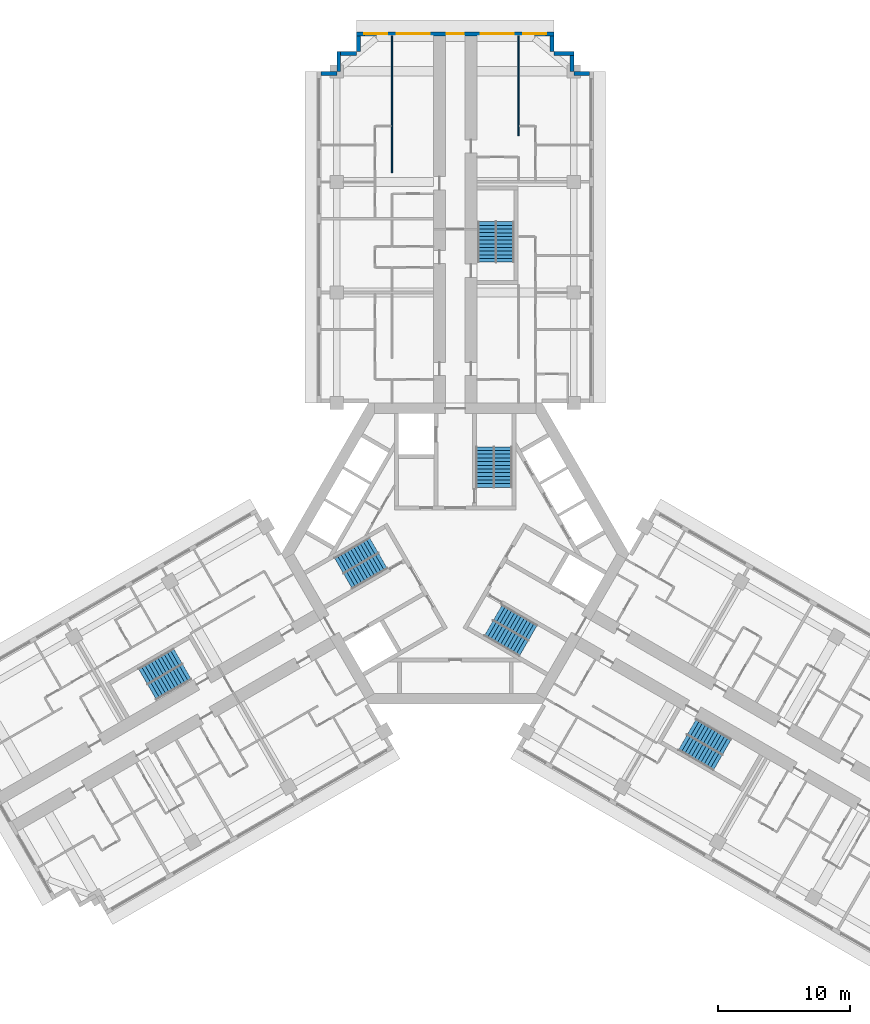
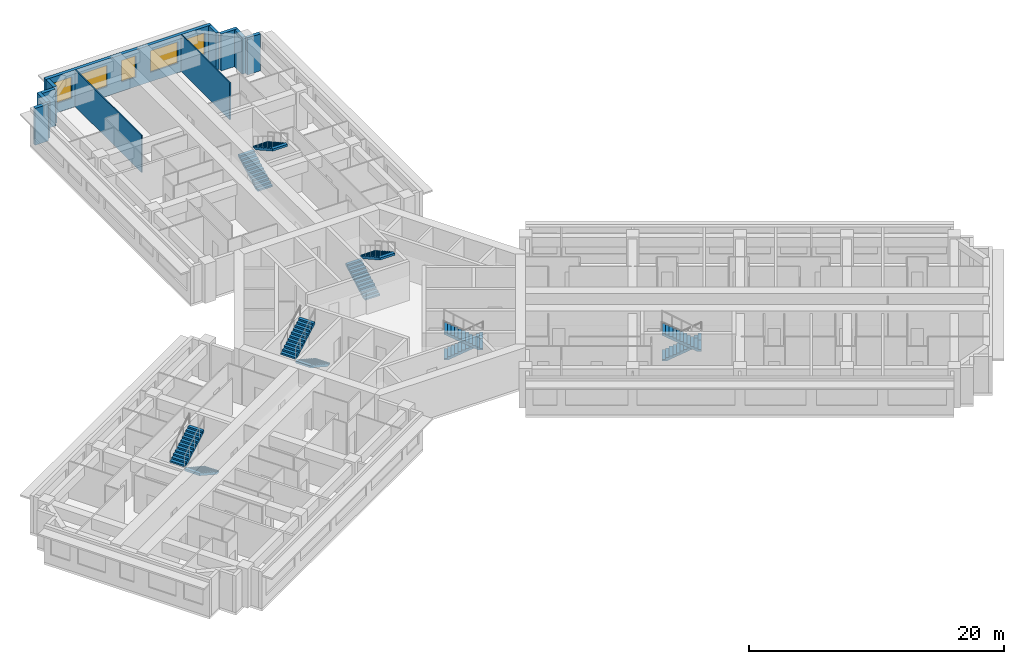
# One storey, part 12 of 13: 12 stair flights, 11 walls, 5 windows, 5 openings, 6 elements without a shape of their own.
"""IFC4 building model written with IfcOpenShell, lengths in metres."""

from ifc_helpers import new_model, si_unit, direction, frame, frame_2d, origin, place, context, subcontext, project, spatial, polyline, rectangle, outline, extrude, material, layer, layer_set, type_object, element, fill, aggregate, save


model = new_model("IFC4")

# Units and contexts
model_context = context("Model", 3, precision=1e-05, world=origin(), true_north=direction((0.0, 1.0)))
body_context = subcontext(model_context, "Body", "Model", "MODEL_VIEW")
ifc_project = project(units=[si_unit("LENGTHUNIT", "METRE"), si_unit("AREAUNIT", "SQUARE_METRE"), si_unit("VOLUMEUNIT", "CUBIC_METRE"), si_unit("PLANEANGLEUNIT", "RADIAN"), si_unit("MASSUNIT", "GRAM", prefix="KILO")], contexts=[model_context])

# Site, building, storey
site_placement = place(None, origin())
site = spatial("IfcSite", under=ifc_project, at=site_placement, CompositionType="ELEMENT")
building_placement = place(site_placement, origin())
building = spatial("IfcBuilding", under=site, at=building_placement, Name="Impinga Residences", CompositionType="ELEMENT")
storey_placement = place(building_placement, frame((0.0, 0.0, 139.75)))
storey = spatial("IfcBuildingStorey", under=building, at=storey_placement, Name="L34", CompositionType="ELEMENT", Elevation=139.75)

# Walls
ifc_material_1 = material(Name="Terracotta rainscreen on blockwork", Category="masonry")
ifc_layer_1 = layer(ifc_material_1, 0.300048828125)
ifc_layer_set_1 = layer_set([ifc_layer_1], Name="EW1 external wall, terracotta rainscreen on blockwork 300")
wall_type_1 = type_object("IfcWallType", Name="EW1 external wall, terracotta rainscreen on blockwork 300", PredefinedType="SOLIDWALL", material=ifc_layer_set_1)
wall_1_placement = place(storey_placement, frame((-10.199951171875, 36.4814453125, 0.0), z_axis=(0.0, 0.0, 1.0), x_axis=(1.0, 0.0, 0.0)))
element("IfcWall", 1, at=wall_1_placement, inside=storey, type_object=wall_type_1, Name="External wall EW1 L34", PredefinedType="SOLIDWALL", context=body_context, shape_type="SweptSolid", body=[
    extrude(rectangle(XDim=1.199951171875, YDim=0.300048828125, at=frame_2d((0.60009765625, 0.0))), origin(), (0.0, 0.0, 1.0), 3.530029296875),
])
wall_2_placement = place(storey_placement, frame((-8.85009765625, 36.636474609375, 0.0), z_axis=(0.0, 0.0, 1.0), x_axis=(0.0, 1.0, 0.0)))
element("IfcWall", 2, at=wall_2_placement, inside=storey, type_object=wall_type_1, Name="External wall EW1 L34", PredefinedType="SOLIDWALL", context=body_context, shape_type="SweptSolid", body=[
    extrude(rectangle(XDim=1.4951171875, YDim=0.300048828125, at=frame_2d((0.74755859375, 0.0))), origin(), (0.0, 0.0, 1.0), 3.530029296875),
])
wall_3_placement = place(storey_placement, frame((-8.699951171875, 37.9814453125, 0.0), z_axis=(0.0, 0.0, 1.0), x_axis=(1.0, 0.0, 0.0)))
element("IfcWall", 3, at=wall_3_placement, inside=storey, type_object=wall_type_1, Name="External wall EW1 L34", PredefinedType="SOLIDWALL", context=body_context, shape_type="SweptSolid", body=[
    extrude(rectangle(XDim=1.199951171875, YDim=0.300048828125, at=frame_2d((0.60009765625, 0.0))), origin(), (0.0, 0.0, 1.0), 3.530029296875),
])
wall_4_placement = place(storey_placement, frame((-7.35009765625, 38.136474609375, 0.0), z_axis=(0.0, 0.0, 1.0), x_axis=(0.0, 1.0, 0.0)))
element("IfcWall", 4, at=wall_4_placement, inside=storey, type_object=wall_type_1, Name="External wall EW1 L34", PredefinedType="SOLIDWALL", context=body_context, shape_type="SweptSolid", body=[
    extrude(rectangle(XDim=1.195068359375, YDim=0.300048828125, at=frame_2d((0.59765625, 0.0))), origin(), (0.0, 0.0, 1.0), 3.530029296875),
])

# Wall, openings, windows
wall_5_placement = place(storey_placement, frame((-7.5, 39.4814453125, 0.0), z_axis=(0.0, 0.0, 1.0), x_axis=(1.0, 0.0, 0.0)))
wall_5 = element("IfcWall", 5, at=wall_5_placement, inside=storey, type_object=wall_type_1, Name="External wall EW1 L34", PredefinedType="SOLIDWALL", context=body_context, shape_type="SweptSolid", body=[
    extrude(rectangle(XDim=15.0, YDim=0.300048828125, at=frame_2d((7.5, 0.0))), origin(), (0.0, 0.0, 1.0), 3.530029296875),
])
opening_1_placement = place(wall_5_placement, frame((0.60009765625, 0.0, 0.89990234375)))
opening_1 = element("IfcOpeningElement", 6, at=opening_1_placement, cuts=wall_5, Name="Opening W1", PredefinedType="OPENING", context=body_context, shape_type="SweptSolid", body=[
    extrude(rectangle(XDim=1.75, YDim=2.050048828125, at=frame_2d((0.875, 1.02490234375))), frame((0.0, 0.159912109375, 0.0), z_axis=(0.0, -1.0, 0.0), x_axis=(1.0, 0.0, 0.0)), (0.0, 0.0, 1.0), 0.320068359375),
])
opening_2_placement = place(wall_5_placement, frame((3.050048828125, 0.0, 0.89990234375)))
opening_2 = element("IfcOpeningElement", 7, at=opening_2_placement, cuts=wall_5, Name="Opening W2", PredefinedType="OPENING", context=body_context, shape_type="SweptSolid", body=[
    extrude(rectangle(XDim=2.5, YDim=2.050048828125, at=frame_2d((1.25, 1.02490234375))), frame((0.0, 0.159912109375, 0.0), z_axis=(0.0, -1.0, 0.0), x_axis=(1.0, 0.0, 0.0)), (0.0, 0.0, 1.0), 0.320068359375),
])
opening_3_placement = place(wall_5_placement, frame((6.85009765625, 0.0, 0.89990234375)))
opening_3 = element("IfcOpeningElement", 8, at=opening_3_placement, cuts=wall_5, Name="Opening W17", PredefinedType="OPENING", context=body_context, shape_type="SweptSolid", body=[
    extrude(rectangle(XDim=1.300048828125, YDim=2.050048828125, at=frame_2d((0.64990234375, 1.02490234375))), frame((0.0, 0.159912109375, 0.0), z_axis=(0.0, -1.0, 0.0), x_axis=(1.0, 0.0, 0.0)), (0.0, 0.0, 1.0), 0.320068359375),
])
opening_4_placement = place(wall_5_placement, frame((9.449951171875, 0.0, 0.89990234375)))
opening_4 = element("IfcOpeningElement", 9, at=opening_4_placement, cuts=wall_5, Name="Opening W2", PredefinedType="OPENING", context=body_context, shape_type="SweptSolid", body=[
    extrude(rectangle(XDim=2.5, YDim=2.050048828125, at=frame_2d((1.25, 1.02490234375))), frame((0.0, 0.159912109375, 0.0), z_axis=(0.0, -1.0, 0.0), x_axis=(1.0, 0.0, 0.0)), (0.0, 0.0, 1.0), 0.320068359375),
])
opening_5_placement = place(wall_5_placement, frame((12.64990234375, 0.0, 0.89990234375)))
opening_5 = element("IfcOpeningElement", 10, at=opening_5_placement, cuts=wall_5, Name="Opening W1", PredefinedType="OPENING", context=body_context, shape_type="SweptSolid", body=[
    extrude(rectangle(XDim=1.75, YDim=2.050048828125, at=frame_2d((0.875, 1.02490234375))), frame((0.0, 0.159912109375, 0.0), z_axis=(0.0, -1.0, 0.0), x_axis=(1.0, 0.0, 0.0)), (0.0, 0.0, 1.0), 0.320068359375),
])
ifc_material_2 = material(Name="Aluminium window, clear double glazing", Category="aluminium")
window_type_1 = type_object("IfcWindowType", Name="W1 ribbon window 1750x2050", PartitioningType="SINGLE_PANEL", PredefinedType="WINDOW", material=ifc_material_2)
window_1_placement = place(opening_1_placement, origin())
window_1 = element("IfcWindow", 11, at=window_1_placement, inside=storey, type_object=window_type_1, Name="Window L34", OverallHeight=2.050048828125, OverallWidth=1.75, PartitioningType="SINGLE_PANEL", PredefinedType="WINDOW", context=body_context, shape_type="SweptSolid", body=[
    extrude(rectangle(XDim=1.75, YDim=2.050048828125, at=frame_2d((0.875, 1.02490234375))), frame((0.0, 0.030029296875, 0.0), z_axis=(0.0, -1.0, 0.0), x_axis=(1.0, 0.0, 0.0)), (0.0, 0.0, 1.0), 0.06005859375),
])
fill(opening_1, window_1)
window_2_placement = place(opening_5_placement, origin())
window_2 = element("IfcWindow", 12, at=window_2_placement, inside=storey, type_object=window_type_1, Name="Window L34", OverallHeight=2.050048828125, OverallWidth=1.75, PartitioningType="SINGLE_PANEL", PredefinedType="WINDOW", context=body_context, shape_type="SweptSolid", body=[
    extrude(rectangle(XDim=1.75, YDim=2.050048828125, at=frame_2d((0.875, 1.02490234375))), frame((0.0, 0.030029296875, 0.0), z_axis=(0.0, -1.0, 0.0), x_axis=(1.0, 0.0, 0.0)), (0.0, 0.0, 1.0), 0.06005859375),
])
fill(opening_5, window_2)
window_type_2 = type_object("IfcWindowType", Name="W17 ribbon window 1300x2050", PartitioningType="SINGLE_PANEL", PredefinedType="WINDOW", material=ifc_material_2)
window_3_placement = place(opening_3_placement, origin())
window_3 = element("IfcWindow", 13, at=window_3_placement, inside=storey, type_object=window_type_2, Name="Window L34", OverallHeight=2.050048828125, OverallWidth=1.300048828125, PartitioningType="SINGLE_PANEL", PredefinedType="WINDOW", context=body_context, shape_type="SweptSolid", body=[
    extrude(rectangle(XDim=1.300048828125, YDim=2.050048828125, at=frame_2d((0.64990234375, 1.02490234375))), frame((0.0, 0.030029296875, 0.0), z_axis=(0.0, -1.0, 0.0), x_axis=(1.0, 0.0, 0.0)), (0.0, 0.0, 1.0), 0.06005859375),
])
fill(opening_3, window_3)
window_type_3 = type_object("IfcWindowType", Name="W2 ribbon window 2500x2050", PartitioningType="SINGLE_PANEL", PredefinedType="WINDOW", material=ifc_material_2)
window_4_placement = place(opening_2_placement, origin())
window_4 = element("IfcWindow", 14, at=window_4_placement, inside=storey, type_object=window_type_3, Name="Window L34", OverallHeight=2.050048828125, OverallWidth=2.5, PartitioningType="SINGLE_PANEL", PredefinedType="WINDOW", context=body_context, shape_type="SweptSolid", body=[
    extrude(rectangle(XDim=2.5, YDim=2.050048828125, at=frame_2d((1.25, 1.02490234375))), frame((0.0, 0.030029296875, 0.0), z_axis=(0.0, -1.0, 0.0), x_axis=(1.0, 0.0, 0.0)), (0.0, 0.0, 1.0), 0.06005859375),
])
fill(opening_2, window_4)
window_5_placement = place(opening_4_placement, origin())
window_5 = element("IfcWindow", 15, at=window_5_placement, inside=storey, type_object=window_type_3, Name="Window L34", OverallHeight=2.050048828125, OverallWidth=2.5, PartitioningType="SINGLE_PANEL", PredefinedType="WINDOW", context=body_context, shape_type="SweptSolid", body=[
    extrude(rectangle(XDim=2.5, YDim=2.050048828125, at=frame_2d((1.25, 1.02490234375))), frame((0.0, 0.030029296875, 0.0), z_axis=(0.0, -1.0, 0.0), x_axis=(1.0, 0.0, 0.0)), (0.0, 0.0, 1.0), 0.06005859375),
])
fill(opening_4, window_5)

# Walls
wall_6_placement = place(storey_placement, frame((7.35009765625, 39.33154296875, 0.0), z_axis=(0.0, 0.0, 1.0), x_axis=(0.0, -1.0, 0.0)))
element("IfcWall", 16, at=wall_6_placement, inside=storey, type_object=wall_type_1, Name="External wall EW1 L34", PredefinedType="SOLIDWALL", context=body_context, shape_type="SweptSolid", body=[
    extrude(rectangle(XDim=1.195068359375, YDim=0.300048828125, at=frame_2d((0.59765625, 0.0))), origin(), (0.0, 0.0, 1.0), 3.530029296875),
])
wall_7_placement = place(storey_placement, frame((7.5, 37.9814453125, 0.0), z_axis=(0.0, 0.0, 1.0), x_axis=(1.0, 0.0, 0.0)))
element("IfcWall", 17, at=wall_7_placement, inside=storey, type_object=wall_type_1, Name="External wall EW1 L34", PredefinedType="SOLIDWALL", context=body_context, shape_type="SweptSolid", body=[
    extrude(rectangle(XDim=1.5, YDim=0.300048828125, at=frame_2d((0.75, 0.0))), origin(), (0.0, 0.0, 1.0), 3.530029296875),
])
wall_8_placement = place(storey_placement, frame((8.85009765625, 37.83154296875, 0.0), z_axis=(0.0, 0.0, 1.0), x_axis=(0.0, -1.0, 0.0)))
element("IfcWall", 18, at=wall_8_placement, inside=storey, type_object=wall_type_1, Name="External wall EW1 L34", PredefinedType="SOLIDWALL", context=body_context, shape_type="SweptSolid", body=[
    extrude(rectangle(XDim=1.199951171875, YDim=0.300048828125, at=frame_2d((0.60009765625, 0.0))), origin(), (0.0, 0.0, 1.0), 3.530029296875),
])
wall_9_placement = place(storey_placement, frame((9.0048828125, 36.4814453125, 0.0), z_axis=(0.0, 0.0, 1.0), x_axis=(1.0, 0.0, 0.0)))
element("IfcWall", 19, at=wall_9_placement, inside=storey, type_object=wall_type_1, Name="External wall EW1 L34", PredefinedType="SOLIDWALL", context=body_context, shape_type="SweptSolid", body=[
    extrude(rectangle(XDim=1.195068359375, YDim=0.300048828125, at=frame_2d((0.59765625, 0.0))), origin(), (0.0, 0.0, 1.0), 3.530029296875),
])
ifc_material_3 = material(Name="Gypsum board on steel studs", Category="steel")
ifc_layer_2 = layer(ifc_material_3, 0.10009765625)
ifc_layer_set_2 = layer_set([ifc_layer_2], Name="Gypsum board on steel studs")
wall_type_2 = type_object("IfcWallType", Name="IP1 partition 100", PredefinedType="PARTITIONING", material=ifc_layer_set_2)
wall_10_placement = place(storey_placement, frame((-4.800048828125, 28.931640625, 0.0), z_axis=(0.0, 0.0, 1.0), x_axis=(0.0, 1.0, 0.0)))
element("IfcWall", 20, at=wall_10_placement, inside=storey, type_object=wall_type_2, Name="Partition L34-NA3:DIV1", PredefinedType="PARTITIONING", context=body_context, shape_type="SweptSolid", body=[
    extrude(rectangle(XDim=10.39990234375, YDim=0.10009765625, at=frame_2d((5.199951171875, 0.0))), origin(), (0.0, 0.0, 1.0), 3.530029296875),
])
wall_11_placement = place(storey_placement, frame((4.800048828125, 31.7314453125, 0.0), z_axis=(0.0, 0.0, 1.0), x_axis=(0.0, 1.0, 0.0)))
element("IfcWall", 21, at=wall_11_placement, inside=storey, type_object=wall_type_2, Name="Partition L34-NF2:DIV1", PredefinedType="PARTITIONING", context=body_context, shape_type="SweptSolid", body=[
    extrude(rectangle(XDim=7.60009765625, YDim=0.10009765625, at=frame_2d((3.800048828125, 0.0))), origin(), (0.0, 0.0, 1.0), 3.530029296875),
])

# Stair, stair flights
ifc_material_4 = material(Name="Concrete C40/50", Category="concrete")
stair_type_1 = type_object("IfcStairType", Name="STR core stair 3750 storey, 24 risers", PredefinedType="HALF_TURN_STAIR", material=ifc_material_4)
stair_1_placement = place(storey_placement, origin())
stair_1 = element("IfcStair", 22, at=stair_1_placement, inside=storey, type_object=stair_type_1, Name="Stair ST1 L34", PredefinedType="HALF_TURN_STAIR")
stair_flight_type = type_object("IfcStairFlightType", Name="SF 12 risers of 156", PredefinedType="STRAIGHT", material=ifc_material_4)
stair_flight_1_placement = place(storey_placement, frame((2.27490234375, 5.030029296875, 0.0), z_axis=(0.0, 0.0, 1.0), x_axis=(0.0, 1.0, 0.0)))
stair_flight_1 = element("IfcStairFlight", 23, at=stair_flight_1_placement, type_object=stair_flight_type, Name="ST1 flight 1", NumberOfRisers=12, NumberOfTreads=11, PredefinedType="STRAIGHT", RiserHeight=0.15625, TreadLength=0.28, context=body_context, shape_type="SweptSolid", body=[
    extrude(outline(polyline([(0.0, 0.0), (0.0, 0.15625), (0.280029296875, 0.15625), (0.280029296875, 0.3125), (0.56005859375, 0.3125), (0.56005859375, 0.46875), (0.840087890625, 0.46875), (0.840087890625, 0.625), (1.1201171875, 0.625), (1.1201171875, 0.78125), (1.39990234375, 0.78125), (1.39990234375, 0.9375), (1.679931640625, 0.9375), (1.679931640625, 1.09375), (1.9599609375, 1.09375), (1.9599609375, 1.25), (2.239990234375, 1.25), (2.239990234375, 1.40625), (2.52001953125, 1.40625), (2.52001953125, 1.5625), (2.800048828125, 1.5625), (2.800048828125, 1.71875), (3.080078125, 1.71875), (3.080078125, 1.875), (3.080078125, 1.5126953125), (0.369140625, 0.0), (0.0, 0.0)])), frame((0.0, 0.675048828125, 0.0), z_axis=(0.0, -1.0, 0.0), x_axis=(1.0, 0.0, 0.0)), (0.0, 0.0, 1.0), 1.35009765625),
])
stair_flight_2_placement = place(storey_placement, frame((3.625, 8.110107421875, 1.875), z_axis=(0.0, 0.0, 1.0), x_axis=(0.0, -1.0, 0.0)))
stair_flight_2 = element("IfcStairFlight", 24, at=stair_flight_2_placement, type_object=stair_flight_type, Name="ST1 flight 2", NumberOfRisers=12, NumberOfTreads=11, PredefinedType="STRAIGHT", RiserHeight=0.15625, TreadLength=0.28, context=body_context, shape_type="SweptSolid", body=[
    extrude(outline(polyline([(0.0, 0.0), (0.0, 0.15625), (0.280029296875, 0.15625), (0.280029296875, 0.3125), (0.56005859375, 0.3125), (0.56005859375, 0.46875), (0.840087890625, 0.46875), (0.840087890625, 0.625), (1.1201171875, 0.625), (1.1201171875, 0.78125), (1.39990234375, 0.78125), (1.39990234375, 0.9375), (1.679931640625, 0.9375), (1.679931640625, 1.09375), (1.9599609375, 1.09375), (1.9599609375, 1.25), (2.239990234375, 1.25), (2.239990234375, 1.40625), (2.52001953125, 1.40625), (2.52001953125, 1.5625), (2.800048828125, 1.5625), (2.800048828125, 1.71875), (3.080078125, 1.71875), (3.080078125, 1.875), (3.080078125, 1.5126953125), (0.369140625, 0.0), (0.0, 0.0)])), frame((0.0, 0.675048828125, 0.0), z_axis=(0.0, -1.0, 0.0), x_axis=(1.0, 0.0, 0.0)), (0.0, 0.0, 1.0), 1.35009765625),
])
aggregate(stair_1, [stair_flight_1, stair_flight_2])

stair_2_placement = place(storey_placement, origin())
stair_2 = element("IfcStair", 25, at=stair_2_placement, inside=storey, type_object=stair_type_1, Name="Stair ST2 L34", PredefinedType="HALF_TURN_STAIR")
stair_flight_3_placement = place(storey_placement, frame((-5.49365234375, -0.544677734375, 0.0), z_axis=(0.0, 0.0, 1.0), x_axis=(-0.866025403784, -0.5, 0.0)))
stair_flight_3 = element("IfcStairFlight", 26, at=stair_flight_3_placement, type_object=stair_flight_type, Name="ST2 flight 1", NumberOfRisers=12, NumberOfTreads=11, PredefinedType="STRAIGHT", RiserHeight=0.15625, TreadLength=0.28, context=body_context, shape_type="SweptSolid", body=[
    extrude(outline(polyline([(0.0, 0.0), (0.0, 0.15625), (0.280029296875, 0.15625), (0.280029296875, 0.3125), (0.56005859375, 0.3125), (0.56005859375, 0.46875), (0.840087890625, 0.46875), (0.840087890625, 0.625), (1.1201171875, 0.625), (1.1201171875, 0.78125), (1.39990234375, 0.78125), (1.39990234375, 0.9375), (1.679931640625, 0.9375), (1.679931640625, 1.09375), (1.9599609375, 1.09375), (1.9599609375, 1.25), (2.239990234375, 1.25), (2.239990234375, 1.40625), (2.52001953125, 1.40625), (2.52001953125, 1.5625), (2.800048828125, 1.5625), (2.800048828125, 1.71875), (3.080078125, 1.71875), (3.080078125, 1.875), (3.080078125, 1.5126953125), (0.369140625, 0.0), (0.0, 0.0)])), frame((0.0, 0.675048828125, 0.0), z_axis=(0.0, -1.0, 0.0), x_axis=(1.0, 0.0, 0.0)), (0.0, 0.0, 1.0), 1.35009765625),
])
stair_flight_4_placement = place(storey_placement, frame((-8.8359375, -0.915771484375, 1.875), z_axis=(0.0, 0.0, 1.0), x_axis=(0.866025403784, 0.5, 0.0)))
stair_flight_4 = element("IfcStairFlight", 27, at=stair_flight_4_placement, type_object=stair_flight_type, Name="ST2 flight 2", NumberOfRisers=12, NumberOfTreads=11, PredefinedType="STRAIGHT", RiserHeight=0.15625, TreadLength=0.28, context=body_context, shape_type="SweptSolid", body=[
    extrude(outline(polyline([(0.0, 0.0), (0.0, 0.15625), (0.280029296875, 0.15625), (0.280029296875, 0.3125), (0.56005859375, 0.3125), (0.56005859375, 0.46875), (0.840087890625, 0.46875), (0.840087890625, 0.625), (1.1201171875, 0.625), (1.1201171875, 0.78125), (1.39990234375, 0.78125), (1.39990234375, 0.9375), (1.679931640625, 0.9375), (1.679931640625, 1.09375), (1.9599609375, 1.09375), (1.9599609375, 1.25), (2.239990234375, 1.25), (2.239990234375, 1.40625), (2.52001953125, 1.40625), (2.52001953125, 1.5625), (2.800048828125, 1.5625), (2.800048828125, 1.71875), (3.080078125, 1.71875), (3.080078125, 1.875), (3.080078125, 1.5126953125), (0.369140625, 0.0), (0.0, 0.0)])), frame((0.0, 0.675048828125, 0.0), z_axis=(0.0, -1.0, 0.0), x_axis=(1.0, 0.0, 0.0)), (0.0, 0.0, 1.0), 1.35009765625),
])
aggregate(stair_2, [stair_flight_3, stair_flight_4])

stair_3_placement = place(storey_placement, origin())
stair_3 = element("IfcStair", 28, at=stair_3_placement, inside=storey, type_object=stair_type_1, Name="Stair ST3 L34", PredefinedType="HALF_TURN_STAIR")
stair_flight_5_placement = place(storey_placement, frame((3.218505859375, -4.485107421875, 0.0), z_axis=(0.0, 0.0, 1.0), x_axis=(0.866025403784, -0.5, 0.0)))
stair_flight_5 = element("IfcStairFlight", 29, at=stair_flight_5_placement, type_object=stair_flight_type, Name="ST3 flight 1", NumberOfRisers=12, NumberOfTreads=11, PredefinedType="STRAIGHT", RiserHeight=0.15625, TreadLength=0.28, context=body_context, shape_type="SweptSolid", body=[
    extrude(outline(polyline([(0.0, 0.0), (0.0, 0.15625), (0.280029296875, 0.15625), (0.280029296875, 0.3125), (0.56005859375, 0.3125), (0.56005859375, 0.46875), (0.840087890625, 0.46875), (0.840087890625, 0.625), (1.1201171875, 0.625), (1.1201171875, 0.78125), (1.39990234375, 0.78125), (1.39990234375, 0.9375), (1.679931640625, 0.9375), (1.679931640625, 1.09375), (1.9599609375, 1.09375), (1.9599609375, 1.25), (2.239990234375, 1.25), (2.239990234375, 1.40625), (2.52001953125, 1.40625), (2.52001953125, 1.5625), (2.800048828125, 1.5625), (2.800048828125, 1.71875), (3.080078125, 1.71875), (3.080078125, 1.875), (3.080078125, 1.5126953125), (0.369140625, 0.0), (0.0, 0.0)])), frame((0.0, 0.675048828125, 0.0), z_axis=(0.0, -1.0, 0.0), x_axis=(1.0, 0.0, 0.0)), (0.0, 0.0, 1.0), 1.35009765625),
])
stair_flight_6_placement = place(storey_placement, frame((5.2109375, -7.1943359375, 1.875), z_axis=(0.0, 0.0, 1.0), x_axis=(-0.866025403784, 0.5, 0.0)))
stair_flight_6 = element("IfcStairFlight", 30, at=stair_flight_6_placement, type_object=stair_flight_type, Name="ST3 flight 2", NumberOfRisers=12, NumberOfTreads=11, PredefinedType="STRAIGHT", RiserHeight=0.15625, TreadLength=0.28, context=body_context, shape_type="SweptSolid", body=[
    extrude(outline(polyline([(0.0, 0.0), (0.0, 0.15625), (0.280029296875, 0.15625), (0.280029296875, 0.3125), (0.56005859375, 0.3125), (0.56005859375, 0.46875), (0.840087890625, 0.46875), (0.840087890625, 0.625), (1.1201171875, 0.625), (1.1201171875, 0.78125), (1.39990234375, 0.78125), (1.39990234375, 0.9375), (1.679931640625, 0.9375), (1.679931640625, 1.09375), (1.9599609375, 1.09375), (1.9599609375, 1.25), (2.239990234375, 1.25), (2.239990234375, 1.40625), (2.52001953125, 1.40625), (2.52001953125, 1.5625), (2.800048828125, 1.5625), (2.800048828125, 1.71875), (3.080078125, 1.71875), (3.080078125, 1.875), (3.080078125, 1.5126953125), (0.369140625, 0.0), (0.0, 0.0)])), frame((0.0, 0.675048828125, 0.0), z_axis=(0.0, -1.0, 0.0), x_axis=(1.0, 0.0, 0.0)), (0.0, 0.0, 1.0), 1.35009765625),
])
aggregate(stair_3, [stair_flight_5, stair_flight_6])

stair_type_2 = type_object("IfcStairType", Name="STR wing stair 3750 storey, 24 risers", PredefinedType="HALF_TURN_STAIR", material=ifc_material_4)
stair_4_placement = place(storey_placement, origin())
stair_4 = element("IfcStair", 31, at=stair_4_placement, inside=storey, type_object=stair_type_2, Name="Stair WS1 L34", PredefinedType="HALF_TURN_STAIR")
stair_flight_7_placement = place(storey_placement, frame((2.425048828125, 22.131591796875, 0.0), z_axis=(0.0, 0.0, 1.0), x_axis=(0.0, 1.0, 0.0)))
stair_flight_7 = element("IfcStairFlight", 32, at=stair_flight_7_placement, type_object=stair_flight_type, Name="WS1 flight 1", NumberOfRisers=12, NumberOfTreads=11, PredefinedType="STRAIGHT", RiserHeight=0.15625, TreadLength=0.28, context=body_context, shape_type="SweptSolid", body=[
    extrude(outline(polyline([(0.0, 0.0), (0.0, 0.15625), (0.280029296875, 0.15625), (0.280029296875, 0.3125), (0.56005859375, 0.3125), (0.56005859375, 0.46875), (0.840087890625, 0.46875), (0.840087890625, 0.625), (1.1201171875, 0.625), (1.1201171875, 0.78125), (1.39990234375, 0.78125), (1.39990234375, 0.9375), (1.679931640625, 0.9375), (1.679931640625, 1.09375), (1.9599609375, 1.09375), (1.9599609375, 1.25), (2.239990234375, 1.25), (2.239990234375, 1.40625), (2.52001953125, 1.40625), (2.52001953125, 1.5625), (2.800048828125, 1.5625), (2.800048828125, 1.71875), (3.080078125, 1.71875), (3.080078125, 1.875), (3.080078125, 1.5126953125), (0.369140625, 0.0), (0.0, 0.0)])), frame((0.0, 0.675048828125, 0.0), z_axis=(0.0, -1.0, 0.0), x_axis=(1.0, 0.0, 0.0)), (0.0, 0.0, 1.0), 1.35009765625),
])
stair_flight_8_placement = place(storey_placement, frame((3.77490234375, 25.21142578125, 1.875), z_axis=(0.0, 0.0, 1.0), x_axis=(0.0, -1.0, 0.0)))
stair_flight_8 = element("IfcStairFlight", 33, at=stair_flight_8_placement, type_object=stair_flight_type, Name="WS1 flight 2", NumberOfRisers=12, NumberOfTreads=11, PredefinedType="STRAIGHT", RiserHeight=0.15625, TreadLength=0.28, context=body_context, shape_type="SweptSolid", body=[
    extrude(outline(polyline([(0.0, 0.0), (0.0, 0.15625), (0.280029296875, 0.15625), (0.280029296875, 0.3125), (0.56005859375, 0.3125), (0.56005859375, 0.46875), (0.840087890625, 0.46875), (0.840087890625, 0.625), (1.1201171875, 0.625), (1.1201171875, 0.78125), (1.39990234375, 0.78125), (1.39990234375, 0.9375), (1.679931640625, 0.9375), (1.679931640625, 1.09375), (1.9599609375, 1.09375), (1.9599609375, 1.25), (2.239990234375, 1.25), (2.239990234375, 1.40625), (2.52001953125, 1.40625), (2.52001953125, 1.5625), (2.800048828125, 1.5625), (2.800048828125, 1.71875), (3.080078125, 1.71875), (3.080078125, 1.875), (3.080078125, 1.5126953125), (0.369140625, 0.0), (0.0, 0.0)])), frame((0.0, 0.675048828125, 0.0), z_axis=(0.0, -1.0, 0.0), x_axis=(1.0, 0.0, 0.0)), (0.0, 0.0, 1.0), 1.35009765625),
])
aggregate(stair_4, [stair_flight_7, stair_flight_8])

stair_5_placement = place(storey_placement, origin())
stair_5 = element("IfcStair", 34, at=stair_5_placement, inside=storey, type_object=stair_type_2, Name="Stair WS2 L34", PredefinedType="HALF_TURN_STAIR")
stair_flight_9_placement = place(storey_placement, frame((-20.37890625, -8.965576171875, 0.0), z_axis=(0.0, 0.0, 1.0), x_axis=(-0.866025403784, -0.5, 0.0)))
stair_flight_9 = element("IfcStairFlight", 35, at=stair_flight_9_placement, type_object=stair_flight_type, Name="WS2 flight 1", NumberOfRisers=12, NumberOfTreads=11, PredefinedType="STRAIGHT", RiserHeight=0.15625, TreadLength=0.28, context=body_context, shape_type="SweptSolid", body=[
    extrude(outline(polyline([(0.0, 0.0), (0.0, 0.15625), (0.280029296875, 0.15625), (0.280029296875, 0.3125), (0.56005859375, 0.3125), (0.56005859375, 0.46875), (0.840087890625, 0.46875), (0.840087890625, 0.625), (1.1201171875, 0.625), (1.1201171875, 0.78125), (1.39990234375, 0.78125), (1.39990234375, 0.9375), (1.679931640625, 0.9375), (1.679931640625, 1.09375), (1.9599609375, 1.09375), (1.9599609375, 1.25), (2.239990234375, 1.25), (2.239990234375, 1.40625), (2.52001953125, 1.40625), (2.52001953125, 1.5625), (2.800048828125, 1.5625), (2.800048828125, 1.71875), (3.080078125, 1.71875), (3.080078125, 1.875), (3.080078125, 1.5126953125), (0.369140625, 0.0), (0.0, 0.0)])), frame((0.0, 0.675048828125, 0.0), z_axis=(0.0, -1.0, 0.0), x_axis=(1.0, 0.0, 0.0)), (0.0, 0.0, 1.0), 1.35009765625),
])
stair_flight_10_placement = place(storey_placement, frame((-23.721435546875, -9.33642578125, 1.875), z_axis=(0.0, 0.0, 1.0), x_axis=(0.866025403784, 0.5, 0.0)))
stair_flight_10 = element("IfcStairFlight", 36, at=stair_flight_10_placement, type_object=stair_flight_type, Name="WS2 flight 2", NumberOfRisers=12, NumberOfTreads=11, PredefinedType="STRAIGHT", RiserHeight=0.15625, TreadLength=0.28, context=body_context, shape_type="SweptSolid", body=[
    extrude(outline(polyline([(0.0, 0.0), (0.0, 0.15625), (0.280029296875, 0.15625), (0.280029296875, 0.3125), (0.56005859375, 0.3125), (0.56005859375, 0.46875), (0.840087890625, 0.46875), (0.840087890625, 0.625), (1.1201171875, 0.625), (1.1201171875, 0.78125), (1.39990234375, 0.78125), (1.39990234375, 0.9375), (1.679931640625, 0.9375), (1.679931640625, 1.09375), (1.9599609375, 1.09375), (1.9599609375, 1.25), (2.239990234375, 1.25), (2.239990234375, 1.40625), (2.52001953125, 1.40625), (2.52001953125, 1.5625), (2.800048828125, 1.5625), (2.800048828125, 1.71875), (3.080078125, 1.71875), (3.080078125, 1.875), (3.080078125, 1.5126953125), (0.369140625, 0.0), (0.0, 0.0)])), frame((0.0, 0.675048828125, 0.0), z_axis=(0.0, -1.0, 0.0), x_axis=(1.0, 0.0, 0.0)), (0.0, 0.0, 1.0), 1.35009765625),
])
aggregate(stair_5, [stair_flight_9, stair_flight_10])

stair_6_placement = place(storey_placement, origin())
stair_6 = element("IfcStair", 37, at=stair_6_placement, inside=storey, type_object=stair_type_2, Name="Stair WS3 L34", PredefinedType="HALF_TURN_STAIR")
stair_flight_11_placement = place(storey_placement, frame((17.953857421875, -13.165771484375, 0.0), z_axis=(0.0, 0.0, 1.0), x_axis=(0.866025403784, -0.5, 0.0)))
stair_flight_11 = element("IfcStairFlight", 38, at=stair_flight_11_placement, type_object=stair_flight_type, Name="WS3 flight 1", NumberOfRisers=12, NumberOfTreads=11, PredefinedType="STRAIGHT", RiserHeight=0.15625, TreadLength=0.28, context=body_context, shape_type="SweptSolid", body=[
    extrude(outline(polyline([(0.0, 0.0), (0.0, 0.15625), (0.280029296875, 0.15625), (0.280029296875, 0.3125), (0.56005859375, 0.3125), (0.56005859375, 0.46875), (0.840087890625, 0.46875), (0.840087890625, 0.625), (1.1201171875, 0.625), (1.1201171875, 0.78125), (1.39990234375, 0.78125), (1.39990234375, 0.9375), (1.679931640625, 0.9375), (1.679931640625, 1.09375), (1.9599609375, 1.09375), (1.9599609375, 1.25), (2.239990234375, 1.25), (2.239990234375, 1.40625), (2.52001953125, 1.40625), (2.52001953125, 1.5625), (2.800048828125, 1.5625), (2.800048828125, 1.71875), (3.080078125, 1.71875), (3.080078125, 1.875), (3.080078125, 1.5126953125), (0.369140625, 0.0), (0.0, 0.0)])), frame((0.0, 0.675048828125, 0.0), z_axis=(0.0, -1.0, 0.0), x_axis=(1.0, 0.0, 0.0)), (0.0, 0.0, 1.0), 1.35009765625),
])
stair_flight_12_placement = place(storey_placement, frame((19.9462890625, -15.875, 1.875), z_axis=(0.0, 0.0, 1.0), x_axis=(-0.866025403784, 0.5, 0.0)))
stair_flight_12 = element("IfcStairFlight", 39, at=stair_flight_12_placement, type_object=stair_flight_type, Name="WS3 flight 2", NumberOfRisers=12, NumberOfTreads=11, PredefinedType="STRAIGHT", RiserHeight=0.15625, TreadLength=0.28, context=body_context, shape_type="SweptSolid", body=[
    extrude(outline(polyline([(0.0, 0.0), (0.0, 0.15625), (0.280029296875, 0.15625), (0.280029296875, 0.3125), (0.56005859375, 0.3125), (0.56005859375, 0.46875), (0.840087890625, 0.46875), (0.840087890625, 0.625), (1.1201171875, 0.625), (1.1201171875, 0.78125), (1.39990234375, 0.78125), (1.39990234375, 0.9375), (1.679931640625, 0.9375), (1.679931640625, 1.09375), (1.9599609375, 1.09375), (1.9599609375, 1.25), (2.239990234375, 1.25), (2.239990234375, 1.40625), (2.52001953125, 1.40625), (2.52001953125, 1.5625), (2.800048828125, 1.5625), (2.800048828125, 1.71875), (3.080078125, 1.71875), (3.080078125, 1.875), (3.080078125, 1.5126953125), (0.369140625, 0.0), (0.0, 0.0)])), frame((0.0, 0.675048828125, 0.0), z_axis=(0.0, -1.0, 0.0), x_axis=(1.0, 0.0, 0.0)), (0.0, 0.0, 1.0), 1.35009765625),
])
aggregate(stair_6, [stair_flight_11, stair_flight_12])

save(model, "model.ifc")
